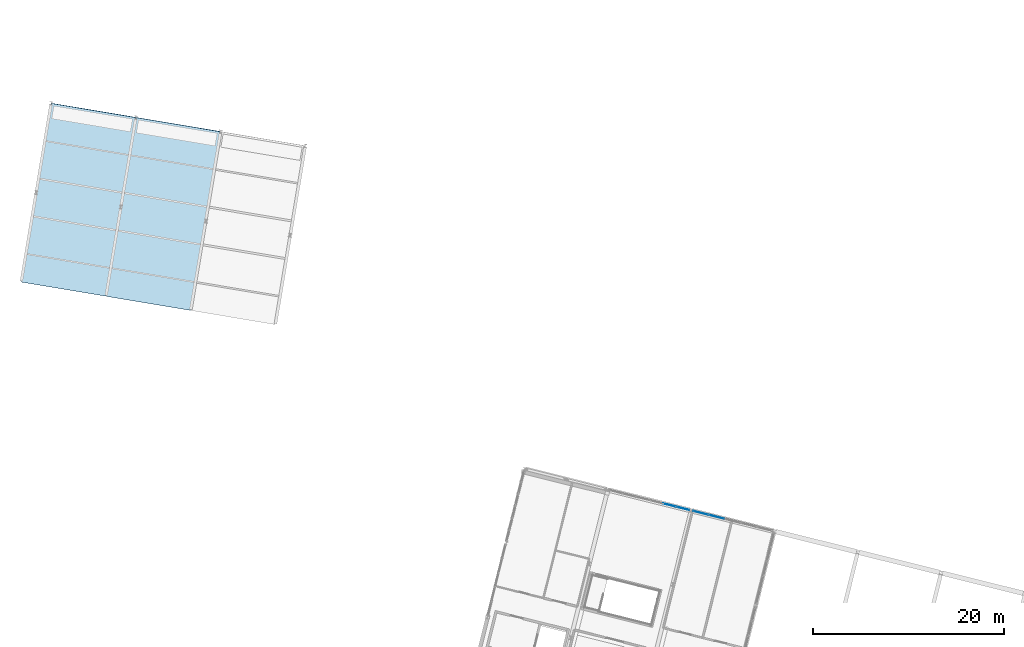
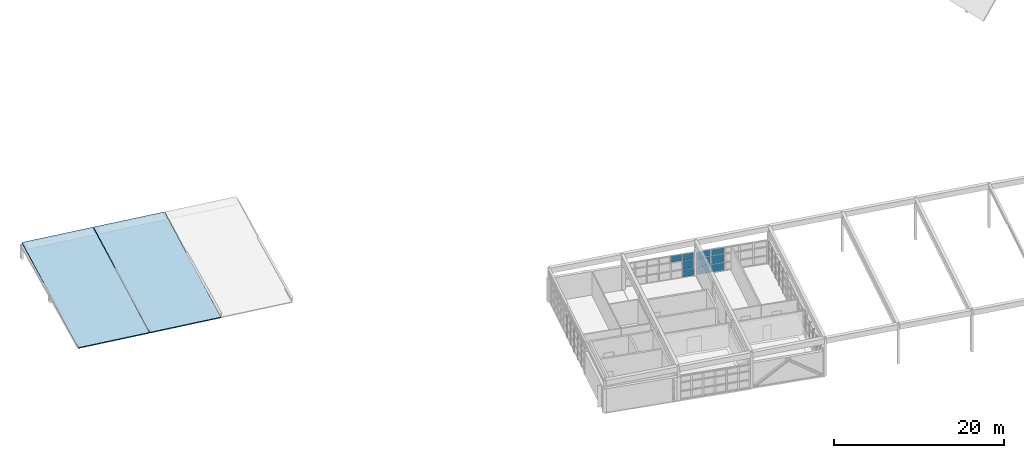
# One storey, part 21 of 27: 10 plates, 2 slabs, 2 elements without a shape of their own.
"""IFC4 building model written with IfcOpenShell, lengths in metres."""

from ifc_helpers import new_model, si_unit, direction, frame, origin, origin_2d, place, context, subcontext, project, spatial, polyline, rectangle, outline, extrude, material, layer, layer_set, type_object, element, aggregate, save


model = new_model("IFC4")

# Units and contexts
model_context = context("Model", 3, precision=1e-05, world=origin(), true_north=direction((0.0, 1.0)))
body_context = subcontext(model_context, "Body", "Model", "MODEL_VIEW")
ifc_project = project(units=[si_unit("LENGTHUNIT", "METRE"), si_unit("AREAUNIT", "SQUARE_METRE"), si_unit("VOLUMEUNIT", "CUBIC_METRE"), si_unit("PLANEANGLEUNIT", "RADIAN"), si_unit("MASSUNIT", "GRAM", prefix="KILO")], contexts=[model_context])

# Site, building, storey
site_placement = place(None, origin())
site = spatial("IfcSite", under=ifc_project, at=site_placement, CompositionType="ELEMENT")
building_placement = place(site_placement, origin())
building = spatial("IfcBuilding", under=site, at=building_placement, Name="Vireo Bluff Cable Station", CompositionType="ELEMENT")
storey_placement = place(building_placement, frame((0.0, 0.0, 19.199951171875)))
storey = spatial("IfcBuildingStorey", under=building, at=storey_placement, Name="L04", CompositionType="ELEMENT", Elevation=19.199951171875)

# Curtain wall, plates
ifc_material_1 = material(Name="Anodized Aluminium 6063-T6", Category="aluminium")
ifc_layer_1 = layer(ifc_material_1, 0.179931640625, Name="Anodized Aluminium 6063-T6")
ifc_layer_set_1 = layer_set([ifc_layer_1], Name="Anodized Aluminium 6063-T6")
curtain_wall_type_1 = type_object("IfcCurtainWallType", Name="CW-UNIT-1650", PredefinedType="USERDEFINED", material=ifc_layer_set_1)
curtain_wall_1_placement = place(storey_placement, origin())
curtain_wall_1 = element("IfcCurtainWall", 1, at=curtain_wall_1_placement, inside=storey, type_object=curtain_wall_type_1, Name="V1 L04 north curtain wall CW-035", ObjectType="UNITISED CURTAIN WALL", PredefinedType="USERDEFINED")
ifc_material_2 = material(Name="Laminated Low-E Insulated Glass", Category="glass")
ifc_layer_2 = layer(ifc_material_2, 0.028076171875, Name="Laminated Low-E Insulated Glass")
ifc_layer_set_2 = layer_set([ifc_layer_2], Name="Laminated Low-E Insulated Glass")
plate_type_1 = type_object("IfcPlateType", Name="CWP-28-1", PredefinedType="CURTAIN_PANEL", material=ifc_layer_set_2)
plate_1_placement = place(storey_placement, frame((78.283935546875, 56.679931640625, 0.080078125), z_axis=(0.0, 0.0, 1.0), x_axis=(0.970295730477, -0.241921878749, 0.0)))
plate_1 = element("IfcPlate", 2, at=plate_1_placement, type_object=plate_type_1, Name="CW-035 panel 1.1", PredefinedType="CURTAIN_PANEL", context=body_context, shape_type="SweptSolid", body=[
    extrude(rectangle(XDim=1.6181640625, YDim=0.028076171875, at=origin_2d()), origin(), (0.0, 0.0, 1.0), 1.070068359375),
])
plate_2_placement = place(storey_placement, frame((78.283935546875, 56.679931640625, 1.22998046875), z_axis=(0.0, 0.0, 1.0), x_axis=(0.970295730477, -0.241921878749, 0.0)))
plate_2 = element("IfcPlate", 3, at=plate_2_placement, type_object=plate_type_1, Name="CW-035 panel 1.2", PredefinedType="CURTAIN_PANEL", context=body_context, shape_type="SweptSolid", body=[
    extrude(rectangle(XDim=1.6181640625, YDim=0.028076171875, at=origin_2d()), origin(), (0.0, 0.0, 1.0), 1.177978515625),
])
plate_3_placement = place(storey_placement, frame((78.283935546875, 56.679931640625, 2.488037109375), z_axis=(0.0, 0.0, 1.0), x_axis=(0.970295730477, -0.241921878749, 0.0)))
plate_3 = element("IfcPlate", 4, at=plate_3_placement, type_object=plate_type_1, Name="CW-035 panel 1.3", PredefinedType="CURTAIN_PANEL", context=body_context, shape_type="SweptSolid", body=[
    extrude(rectangle(XDim=1.6181640625, YDim=0.028076171875, at=origin_2d()), origin(), (0.0, 0.0, 1.0), 0.83203125),
])
plate_4_placement = place(storey_placement, frame((79.951171875, 56.264404296875, 0.080078125), z_axis=(0.0, 0.0, 1.0), x_axis=(0.970295730477, -0.241921878749, 0.0)))
plate_4 = element("IfcPlate", 5, at=plate_4_placement, type_object=plate_type_1, Name="CW-035 panel 2.1", PredefinedType="CURTAIN_PANEL", context=body_context, shape_type="SweptSolid", body=[
    extrude(rectangle(XDim=1.658203125, YDim=0.028076171875, at=origin_2d()), origin(), (0.0, 0.0, 1.0), 1.070068359375),
])
plate_5_placement = place(storey_placement, frame((79.951171875, 56.264404296875, 1.22998046875), z_axis=(0.0, 0.0, 1.0), x_axis=(0.970295730477, -0.241921878749, 0.0)))
plate_5 = element("IfcPlate", 6, at=plate_5_placement, type_object=plate_type_1, Name="CW-035 panel 2.2", PredefinedType="CURTAIN_PANEL", context=body_context, shape_type="SweptSolid", body=[
    extrude(rectangle(XDim=1.658203125, YDim=0.028076171875, at=origin_2d()), origin(), (0.0, 0.0, 1.0), 1.177978515625),
])
plate_6_placement = place(storey_placement, frame((79.951171875, 56.264404296875, 2.488037109375), z_axis=(0.0, 0.0, 1.0), x_axis=(0.970295730477, -0.241921878749, 0.0)))
plate_6 = element("IfcPlate", 7, at=plate_6_placement, type_object=plate_type_1, Name="CW-035 panel 2.3", PredefinedType="CURTAIN_PANEL", context=body_context, shape_type="SweptSolid", body=[
    extrude(rectangle(XDim=1.658203125, YDim=0.028076171875, at=origin_2d()), origin(), (0.0, 0.0, 1.0), 0.83203125),
])
aggregate(curtain_wall_1, [plate_1, plate_2, plate_3, plate_4, plate_5, plate_6])

ifc_layer_3 = layer(ifc_material_1, 0.179931640625, Name="Anodized Aluminium 6063-T6")
ifc_layer_set_3 = layer_set([ifc_layer_3], Name="Anodized Aluminium 6063-T6")
curtain_wall_type_2 = type_object("IfcCurtainWallType", Name="CW-UNIT-1500", PredefinedType="USERDEFINED", material=ifc_layer_set_3)
curtain_wall_2_placement = place(storey_placement, origin())
curtain_wall_2 = element("IfcCurtainWall", 8, at=curtain_wall_2_placement, inside=storey, type_object=curtain_wall_type_2, Name="V1 L04 north curtain wall CW-034", ObjectType="UNITISED CURTAIN WALL", PredefinedType="USERDEFINED")
ifc_material_3 = material(Name="Insulated Spandrel Glass Panel", Category="glass")
ifc_layer_4 = layer(ifc_material_3, 0.048095703125, Name="Insulated Spandrel Glass Panel")
ifc_layer_set_4 = layer_set([ifc_layer_4], Name="Insulated Spandrel Glass Panel")
plate_type_2 = type_object("IfcPlateType", Name="CWP-48-5", PredefinedType="CURTAIN_PANEL", material=ifc_layer_set_4)
plate_7_placement = place(storey_placement, frame((75.013427734375, 57.49560546875, 2.47802734375), z_axis=(0.0, 0.0, 1.0), x_axis=(0.970295730477, -0.241921878749, 0.0)))
plate_7 = element("IfcPlate", 9, at=plate_7_placement, type_object=plate_type_2, Name="CW-034 panel 5.3", PredefinedType="CURTAIN_PANEL", context=body_context, shape_type="SweptSolid", body=[
    extrude(rectangle(XDim=1.388427734375, YDim=0.048095703125, at=origin_2d()), origin(), (0.0, 0.0, 1.0), 0.862060546875),
])
plate_8_placement = place(storey_placement, frame((76.404296875, 57.148681640625, 0.06005859375), z_axis=(0.0, 0.0, 1.0), x_axis=(0.970295730477, -0.241921878749, 0.0)))
plate_8 = element("IfcPlate", 10, at=plate_8_placement, type_object=plate_type_2, Name="CW-034 panel 6.1", PredefinedType="CURTAIN_PANEL", context=body_context, shape_type="SweptSolid", body=[
    extrude(rectangle(XDim=1.3583984375, YDim=0.048095703125, at=origin_2d()), origin(), (0.0, 0.0, 1.0), 1.10009765625),
])
plate_9_placement = place(storey_placement, frame((76.404296875, 57.148681640625, 1.22021484375), z_axis=(0.0, 0.0, 1.0), x_axis=(0.970295730477, -0.241921878749, 0.0)))
plate_9 = element("IfcPlate", 11, at=plate_9_placement, type_object=plate_type_2, Name="CW-034 panel 6.2", PredefinedType="CURTAIN_PANEL", context=body_context, shape_type="SweptSolid", body=[
    extrude(rectangle(XDim=1.3583984375, YDim=0.048095703125, at=origin_2d()), origin(), (0.0, 0.0, 1.0), 1.197998046875),
])
plate_10_placement = place(storey_placement, frame((76.404296875, 57.148681640625, 2.47802734375), z_axis=(0.0, 0.0, 1.0), x_axis=(0.970295730477, -0.241921878749, 0.0)))
plate_10 = element("IfcPlate", 12, at=plate_10_placement, type_object=plate_type_2, Name="CW-034 panel 6.3", PredefinedType="CURTAIN_PANEL", context=body_context, shape_type="SweptSolid", body=[
    extrude(rectangle(XDim=1.3583984375, YDim=0.048095703125, at=origin_2d()), origin(), (0.0, 0.0, 1.0), 0.862060546875),
])
aggregate(curtain_wall_2, [plate_7, plate_8, plate_9, plate_10])

# Slabs
ifc_material_4 = material(Name="Concrete f'c 40 MPa", Category="concrete")
ifc_layer_5 = layer(ifc_material_4, 0.14990234375, Name="Concrete f'c 40 MPa")
ifc_layer_set_5 = layer_set([ifc_layer_5], Name="Concrete f'c 40 MPa")
slab_type = type_object("IfcSlabType", Name="ROOFSLAB-150-4", PredefinedType="ROOF", material=ifc_layer_set_5)
slab_1_placement = place(storey_placement, frame((7.09765625, 80.86474609375, -0.349853515625), z_axis=(-0.023221327312, -0.138759341032, 0.990053844614), x_axis=(0.986284470904, -0.165054362115, 0.0)))
element("IfcSlab", 13, at=slab_1_placement, inside=storey, type_object=slab_type, Name="V4 sawtooth roof bay 1", PredefinedType="ROOF", context=body_context, shape_type="SweptSolid", body=[
    extrude(outline(polyline([(0.0, 0.0), (8.939999637646423, 0.0), (8.93969692071118, 19.190923603529736), (-0.0003027169352431876, 19.190923603529733), (0.0, 0.0)])), origin(), (0.0, 0.0, -1.0), 0.14990234375),
])
slab_2_placement = place(storey_placement, frame((15.97412109375, 79.37939453125, -0.349853515625), z_axis=(-0.023219554569, -0.138760227153, 0.990053761998), x_axis=(0.9862845149, -0.165054099208, -1.875842e-06)))
element("IfcSlab", 14, at=slab_2_placement, inside=storey, type_object=slab_type, Name="V4 sawtooth roof bay 2", PredefinedType="ROOF", context=body_context, shape_type="SweptSolid", body=[
    extrude(outline(polyline([(0.0, 0.0), (8.939999637630375, -2.220446049250313e-16), (8.93993771283438, 19.190963499203217), (-2.1628385055741405e-05, 19.19072510207167), (0.0, 0.0)])), origin(), (0.0, 0.0, -1.0), 0.14990234375),
])

save(model, "model.ifc")
